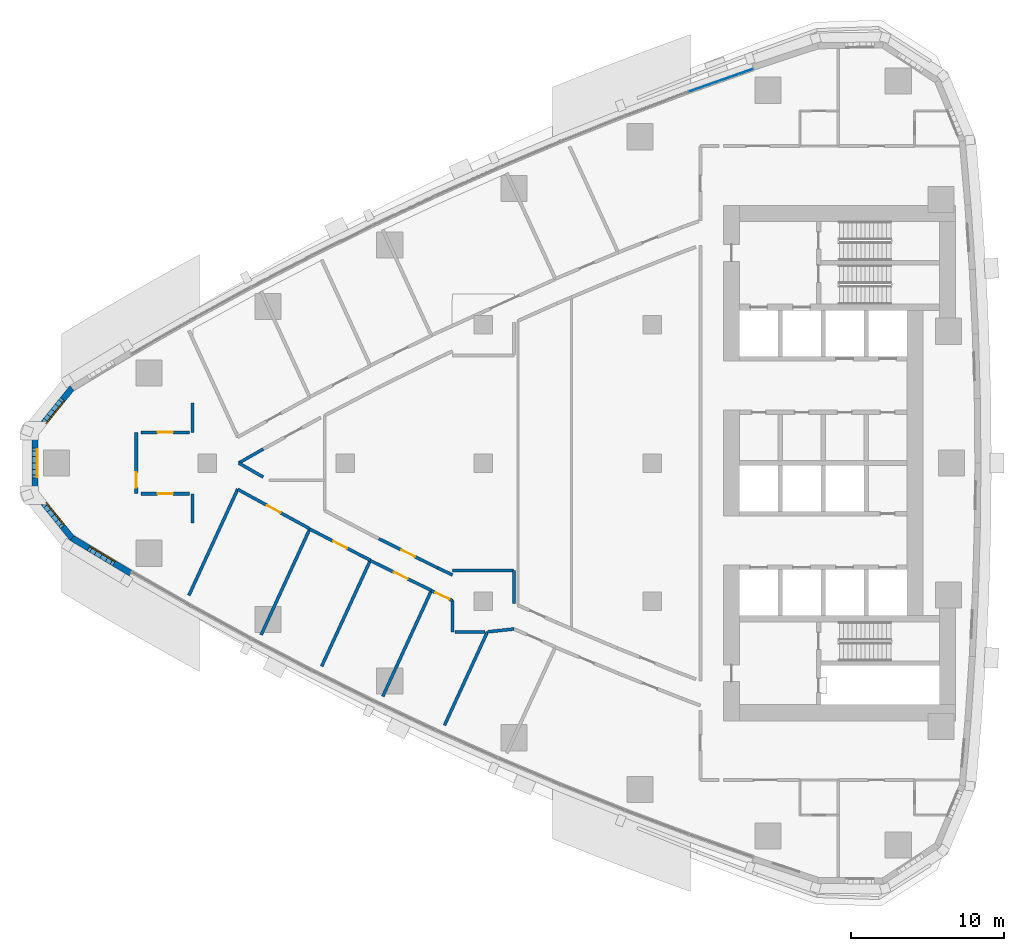
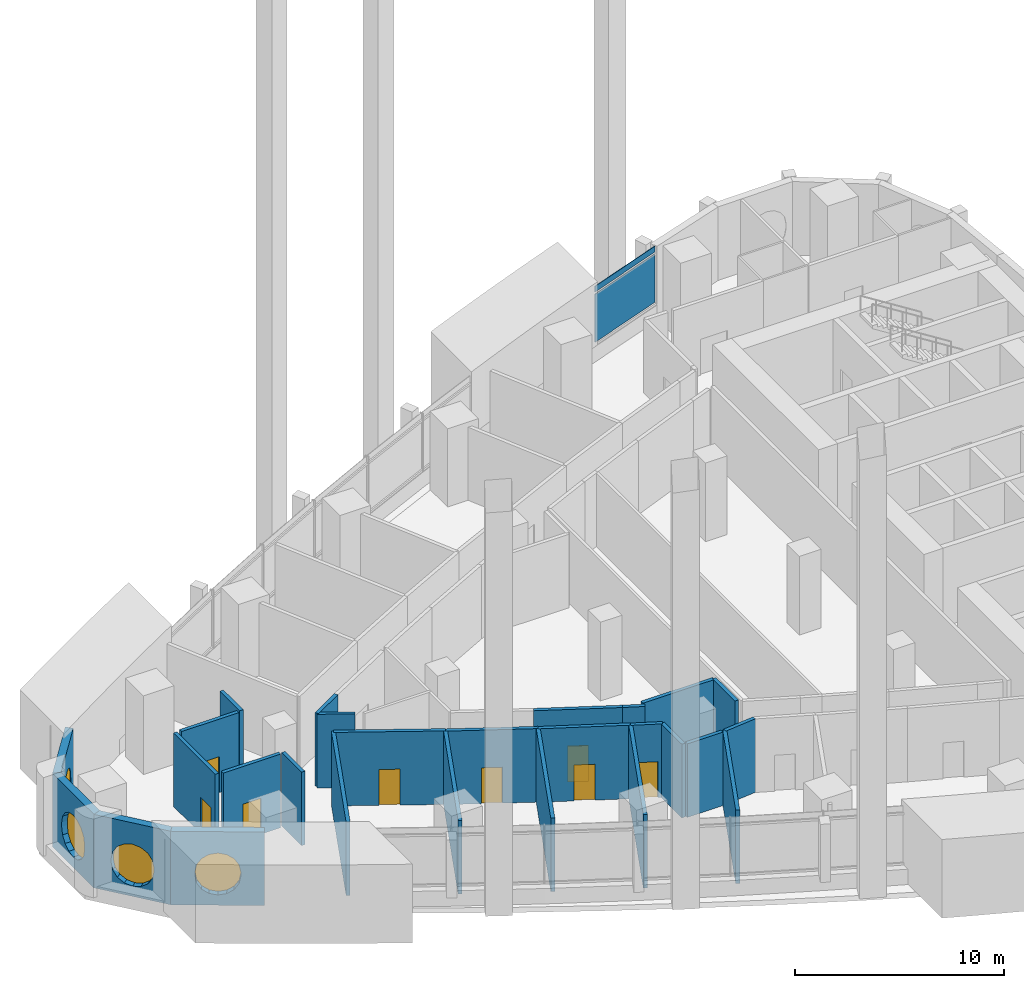
# One storey, part 7 of 17: 27 walls, 8 doors, 4 windows, 2 plates, 12 openings, 1 element without a shape of its own.
"""IFC4 building model written with IfcOpenShell, lengths in metres."""

from ifc_helpers import new_model, si_unit, direction, frame, frame_2d, origin, origin_2d, place, context, subcontext, project, spatial, polyline, rectangle, outline, extrude, material, layer, layer_set, type_object, element, fill, aggregate, save


model = new_model("IFC4")

# Units and contexts
model_context = context("Model", 3, precision=1e-05, world=origin(), true_north=direction((0.0, 1.0)))
body_context = subcontext(model_context, "Body", "Model", "MODEL_VIEW")
ifc_project = project(units=[si_unit("LENGTHUNIT", "METRE"), si_unit("AREAUNIT", "SQUARE_METRE"), si_unit("VOLUMEUNIT", "CUBIC_METRE"), si_unit("PLANEANGLEUNIT", "RADIAN"), si_unit("MASSUNIT", "GRAM", prefix="KILO")], contexts=[model_context])

# Site, building, storey
site_placement = place(None, origin())
site = spatial("IfcSite", under=ifc_project, at=site_placement, CompositionType="ELEMENT")
building_placement = place(site_placement, origin())
building = spatial("IfcBuilding", under=site, at=building_placement, Name="Ostrand Prow Hotel Tower", CompositionType="ELEMENT")
storey_placement = place(building_placement, frame((0.0, 0.0, 80.300048828125)))
storey = spatial("IfcBuildingStorey", under=building, at=storey_placement, Name="L18", CompositionType="ELEMENT", Elevation=80.300048828125)

# Curtain wall, plates
ifc_material_1 = material(Name="Insulated glass in bronze anodised frame", Category="glass")
ifc_layer_1 = layer(ifc_material_1, 0.199951171875)
ifc_layer_set_1 = layer_set([ifc_layer_1], Name="Insulated glass in bronze anodised frame")
curtain_wall_type = type_object("IfcCurtainWallType", Name="Sky lobby full-height curtain wall", PredefinedType="NOTDEFINED", material=ifc_layer_set_1)
curtain_wall_placement = place(storey_placement, origin())
curtain_wall = element("IfcCurtainWall", 1, at=curtain_wall_placement, inside=storey, type_object=curtain_wall_type, Name="CW3 run CWN1", PredefinedType="NOTDEFINED")
ifc_material_2 = material(Name="Low-iron clear glass", Category="glass")
ifc_layer_2 = layer(ifc_material_2, 0.031982421875)
ifc_layer_set_2 = layer_set([ifc_layer_2], Name="Low-iron clear glass")
plate_type = type_object("IfcPlateType", Name="Clear glass unit 32 mm", PredefinedType="CURTAIN_PANEL", material=ifc_layer_set_2)
plate_1_placement = place(storey_placement, frame((49.49609375, 24.947509765625, 1.02001953125), z_axis=(0.0, 0.0, 1.0), x_axis=(-0.942751551748, -0.333495894542, 0.0)))
plate_1 = element("IfcPlate", 2, at=plate_1_placement, type_object=plate_type, Name="CW3 PN-C panel 1.2", PredefinedType="CURTAIN_PANEL", context=body_context, shape_type="SweptSolid", body=[
    extrude(rectangle(XDim=4.406005859375, YDim=0.031982421875, at=origin_2d()), origin(), (0.0, 0.0, 1.0), 2.820068359375),
])
plate_2_placement = place(storey_placement, frame((49.49609375, 24.947509765625, 3.9599609375), z_axis=(0.0, 0.0, 1.0), x_axis=(-0.942751551748, -0.333495894542, 0.0)))
plate_2 = element("IfcPlate", 3, at=plate_2_placement, type_object=plate_type, Name="CW3 PN-C panel 1.3", PredefinedType="CURTAIN_PANEL", context=body_context, shape_type="SweptSolid", body=[
    extrude(rectangle(XDim=4.406005859375, YDim=0.031982421875, at=origin_2d()), origin(), (0.0, 0.0, 1.0), 0.340087890625),
])
aggregate(curtain_wall, [plate_1, plate_2])

# Wall, opening, door
ifc_material_3 = material(Name="Plasterboard partition")
ifc_layer_3 = layer(ifc_material_3, 0.199951171875)
ifc_layer_set_3 = layer_set([ifc_layer_3], Name="Plasterboard partition")
wall_type_1 = type_object("IfcWallType", Name="Partition 200 corridor wall", PredefinedType="PARTITIONING", material=ifc_layer_set_3)
wall_1_placement = place(storey_placement, frame((11.685302734375, 2.0, 0.0), z_axis=(0.0, 0.0, 1.0), x_axis=(1.0, 0.0, 0.0)))
wall_1 = element("IfcWall", 4, at=wall_1_placement, inside=storey, type_object=wall_type_1, Name="CORRIDOR WALL", PredefinedType="PARTITIONING", context=body_context, shape_type="SweptSolid", body=[
    extrude(rectangle(XDim=3.16845703125, YDim=0.199951171875, at=frame_2d((1.584228515625, 0.0))), origin(), (0.0, 0.0, 1.0), 4.300048828125),
])
opening_1_placement = place(wall_1_placement, frame((1.084228515625, 0.0, 0.0)))
opening_1 = element("IfcOpeningElement", 5, at=opening_1_placement, cuts=wall_1, Name="Opening D1", PredefinedType="OPENING", context=body_context, shape_type="SweptSolid", body=[
    extrude(rectangle(XDim=1.0, YDim=2.10009765625, at=frame_2d((0.5, 1.050048828125))), frame((0.0, 0.10986328125, 0.0), z_axis=(0.0, -1.0, 0.0), x_axis=(1.0, 0.0, 0.0)), (0.0, 0.0, 1.0), 0.219970703125),
])
ifc_material_4 = material(Name="Timber door leaf", Category="wood")
door_type_1 = type_object("IfcDoorType", Name="Guest room door 1000", OperationType="SINGLE_SWING_LEFT", PredefinedType="DOOR", material=ifc_material_4)
door_1_placement = place(opening_1_placement, origin())
door_1 = element("IfcDoor", 6, at=door_1_placement, inside=storey, type_object=door_type_1, Name="DOOR", OperationType="SINGLE_SWING_LEFT", OverallHeight=2.10009765625, OverallWidth=1.0, PredefinedType="DOOR", context=body_context, shape_type="SweptSolid", body=[
    extrude(rectangle(XDim=1.0, YDim=2.10009765625, at=frame_2d((0.5, 1.050048828125))), frame((0.0, 0.02490234375, 0.0), z_axis=(0.0, -1.0, 0.0), x_axis=(1.0, 0.0, 0.0)), (0.0, 0.0, 1.0), 0.050048828125),
])
fill(opening_1, door_1)

wall_2_placement = place(storey_placement, frame((11.685302734375, -2.0, 0.0), z_axis=(0.0, 0.0, 1.0), x_axis=(1.0, 0.0, 0.0)))
wall_2 = element("IfcWall", 7, at=wall_2_placement, inside=storey, type_object=wall_type_1, Name="CORRIDOR WALL", PredefinedType="PARTITIONING", context=body_context, shape_type="SweptSolid", body=[
    extrude(rectangle(XDim=3.16845703125, YDim=0.199951171875, at=frame_2d((1.584228515625, 0.0))), origin(), (0.0, 0.0, 1.0), 4.300048828125),
])
opening_2_placement = place(wall_2_placement, frame((1.084228515625, 0.0, 0.0)))
opening_2 = element("IfcOpeningElement", 8, at=opening_2_placement, cuts=wall_2, Name="Opening D1R", PredefinedType="OPENING", context=body_context, shape_type="SweptSolid", body=[
    extrude(rectangle(XDim=1.0, YDim=2.10009765625, at=frame_2d((0.5, 1.050048828125))), frame((0.0, 0.10986328125, 0.0), z_axis=(0.0, -1.0, 0.0), x_axis=(1.0, 0.0, 0.0)), (0.0, 0.0, 1.0), 0.219970703125),
])
ifc_material_5 = material(Name="Timber door leaf", Category="wood")
door_type_2 = type_object("IfcDoorType", Name="Guest room door 1000 right", OperationType="SINGLE_SWING_RIGHT", PredefinedType="DOOR", material=ifc_material_5)
door_2_placement = place(opening_2_placement, origin())
door_2 = element("IfcDoor", 9, at=door_2_placement, inside=storey, type_object=door_type_2, Name="DOOR", OperationType="SINGLE_SWING_RIGHT", OverallHeight=2.10009765625, OverallWidth=1.0, PredefinedType="DOOR", context=body_context, shape_type="SweptSolid", body=[
    extrude(rectangle(XDim=1.0, YDim=2.10009765625, at=frame_2d((0.5, 1.050048828125))), frame((0.0, 0.02490234375, 0.0), z_axis=(0.0, -1.0, 0.0), x_axis=(1.0, 0.0, 0.0)), (0.0, 0.0, 1.0), 0.050048828125),
])
fill(opening_2, door_2)

wall_3_placement = place(storey_placement, frame((18.0, -1.714599609375, 0.0), z_axis=(0.0, 0.0, 1.0), x_axis=(0.877354946945, -0.479841950096, 0.0)))
wall_3 = element("IfcWall", 10, at=wall_3_placement, inside=storey, type_object=wall_type_1, Name="CORRIDOR WALL", PredefinedType="PARTITIONING", context=body_context, shape_type="SweptSolid", body=[
    extrude(rectangle(XDim=5.35546875, YDim=0.199951171875, at=frame_2d((2.677734375, 0.0))), origin(), (0.0, 0.0, 1.0), 4.300048828125),
])
opening_3_placement = place(wall_3_placement, frame((2.177734375, 0.0, 0.0)))
opening_3 = element("IfcOpeningElement", 11, at=opening_3_placement, cuts=wall_3, Name="Opening D1R", PredefinedType="OPENING", context=body_context, shape_type="SweptSolid", body=[
    extrude(rectangle(XDim=1.0, YDim=2.10009765625, at=frame_2d((0.5, 1.050048828125))), frame((0.0, 0.10986328125, 0.0), z_axis=(0.0, -1.0, 0.0), x_axis=(1.0, 0.0, 0.0)), (0.0, 0.0, 1.0), 0.219970703125),
])
door_3_placement = place(opening_3_placement, origin())
door_3 = element("IfcDoor", 12, at=door_3_placement, inside=storey, type_object=door_type_2, Name="DOOR", OperationType="SINGLE_SWING_RIGHT", OverallHeight=2.10009765625, OverallWidth=1.0, PredefinedType="DOOR", context=body_context, shape_type="SweptSolid", body=[
    extrude(rectangle(XDim=1.0, YDim=2.10009765625, at=frame_2d((0.5, 1.050048828125))), frame((0.0, 0.02490234375, 0.0), z_axis=(0.0, -1.0, 0.0), x_axis=(1.0, 0.0, 0.0)), (0.0, 0.0, 1.0), 0.050048828125),
])
fill(opening_3, door_3)

wall_4_placement = place(storey_placement, frame((22.6904296875, -4.302490234375, 0.0), z_axis=(0.0, 0.0, 1.0), x_axis=(0.889236075961, -0.457448577667, 0.0)))
wall_4 = element("IfcWall", 13, at=wall_4_placement, inside=storey, type_object=wall_type_1, Name="CORRIDOR WALL", PredefinedType="PARTITIONING", context=body_context, shape_type="SweptSolid", body=[
    extrude(rectangle(XDim=4.443115234375, YDim=0.199951171875, at=frame_2d((2.2216796875, 0.0))), origin(), (0.0, 0.0, 1.0), 4.300048828125),
])
opening_4_placement = place(wall_4_placement, frame((1.721435546875, 0.0, 0.0)))
opening_4 = element("IfcOpeningElement", 14, at=opening_4_placement, cuts=wall_4, Name="Opening D1", PredefinedType="OPENING", context=body_context, shape_type="SweptSolid", body=[
    extrude(rectangle(XDim=1.0, YDim=2.10009765625, at=frame_2d((0.5, 1.050048828125))), frame((0.0, 0.10986328125, 0.0), z_axis=(0.0, -1.0, 0.0), x_axis=(1.0, 0.0, 0.0)), (0.0, 0.0, 1.0), 0.219970703125),
])
door_4_placement = place(opening_4_placement, origin())
door_4 = element("IfcDoor", 15, at=door_4_placement, inside=storey, type_object=door_type_1, Name="DOOR", OperationType="SINGLE_SWING_LEFT", OverallHeight=2.10009765625, OverallWidth=1.0, PredefinedType="DOOR", context=body_context, shape_type="SweptSolid", body=[
    extrude(rectangle(XDim=1.0, YDim=2.10009765625, at=frame_2d((0.5, 1.050048828125))), frame((0.0, 0.02490234375, 0.0), z_axis=(0.0, -1.0, 0.0), x_axis=(1.0, 0.0, 0.0)), (0.0, 0.0, 1.0), 0.050048828125),
])
fill(opening_4, door_4)

wall_5_placement = place(storey_placement, frame((26.6328125, -6.35302734375, 0.0), z_axis=(0.0, 0.0, 1.0), x_axis=(0.898502457097, -0.438968489291, 0.0)))
wall_5 = element("IfcWall", 16, at=wall_5_placement, inside=storey, type_object=wall_type_1, Name="CORRIDOR WALL", PredefinedType="PARTITIONING", context=body_context, shape_type="SweptSolid", body=[
    extrude(rectangle(XDim=4.43994140625, YDim=0.199951171875, at=frame_2d((2.219970703125, 0.0))), origin(), (0.0, 0.0, 1.0), 4.300048828125),
])
opening_5_placement = place(wall_5_placement, frame((1.719970703125, 0.0, 0.0)))
opening_5 = element("IfcOpeningElement", 17, at=opening_5_placement, cuts=wall_5, Name="Opening D1R", PredefinedType="OPENING", context=body_context, shape_type="SweptSolid", body=[
    extrude(rectangle(XDim=1.0, YDim=2.10009765625, at=frame_2d((0.5, 1.050048828125))), frame((0.0, 0.10986328125, 0.0), z_axis=(0.0, -1.0, 0.0), x_axis=(1.0, 0.0, 0.0)), (0.0, 0.0, 1.0), 0.219970703125),
])
door_5_placement = place(opening_5_placement, origin())
door_5 = element("IfcDoor", 18, at=door_5_placement, inside=storey, type_object=door_type_2, Name="DOOR", OperationType="SINGLE_SWING_RIGHT", OverallHeight=2.10009765625, OverallWidth=1.0, PredefinedType="DOOR", context=body_context, shape_type="SweptSolid", body=[
    extrude(rectangle(XDim=1.0, YDim=2.10009765625, at=frame_2d((0.5, 1.050048828125))), frame((0.0, 0.02490234375, 0.0), z_axis=(0.0, -1.0, 0.0), x_axis=(1.0, 0.0, 0.0)), (0.0, 0.0, 1.0), 0.050048828125),
])
fill(opening_5, door_5)

wall_6_placement = place(storey_placement, frame((30.61376953125, -8.320068359375, 0.0), z_axis=(0.0, 0.0, 1.0), x_axis=(0.904695891996, -0.42605791039, 0.0)))
wall_6 = element("IfcWall", 19, at=wall_6_placement, inside=storey, type_object=wall_type_1, Name="CORRIDOR WALL", PredefinedType="PARTITIONING", context=body_context, shape_type="SweptSolid", body=[
    extrude(rectangle(XDim=1.5322265625, YDim=0.199951171875, at=frame_2d((0.76611328125, 0.0))), origin(), (0.0, 0.0, 1.0), 4.300048828125),
])
opening_6_placement = place(wall_6_placement, frame((0.300048828125, 0.0, 0.0)))
opening_6 = element("IfcOpeningElement", 20, at=opening_6_placement, cuts=wall_6, Name="Opening D1", PredefinedType="OPENING", context=body_context, shape_type="SweptSolid", body=[
    extrude(rectangle(XDim=1.0, YDim=2.10009765625, at=frame_2d((0.5, 1.050048828125))), frame((0.0, 0.10986328125, 0.0), z_axis=(0.0, -1.0, 0.0), x_axis=(1.0, 0.0, 0.0)), (0.0, 0.0, 1.0), 0.219970703125),
])
door_6_placement = place(opening_6_placement, origin())
door_6 = element("IfcDoor", 21, at=door_6_placement, inside=storey, type_object=door_type_1, Name="DOOR", OperationType="SINGLE_SWING_LEFT", OverallHeight=2.10009765625, OverallWidth=1.0, PredefinedType="DOOR", context=body_context, shape_type="SweptSolid", body=[
    extrude(rectangle(XDim=1.0, YDim=2.10009765625, at=frame_2d((0.5, 1.050048828125))), frame((0.0, 0.02490234375, 0.0), z_axis=(0.0, -1.0, 0.0), x_axis=(1.0, 0.0, 0.0)), (0.0, 0.0, 1.0), 0.050048828125),
])
fill(opening_6, door_6)

# Walls
for number, where, z_axis, x_axis, name in (
    (22, (19.6572265625, -0.912353515625, 0.0), (0.0, 0.0, 1.0), (-0.867694156962, 0.49709843087, 0.0), "CORRIDOR WALL"),
    (23, (18.064697265625, 0.0, 0.0), (0.0, 0.0, 1.0), (0.867694156962, 0.49709843087, 0.0), "CORRIDOR WALL"),
):
    element("IfcWall", number, at=place(storey_placement, frame(where, z_axis=z_axis, x_axis=x_axis)), inside=storey, type_object=wall_type_1, Name=name, PredefinedType="PARTITIONING", context=body_context, shape_type="SweptSolid", body=[
        extrude(rectangle(XDim=1.83544921875, YDim=0.199951171875, at=frame_2d((0.917724609375, 0.0))), origin(), (0.0, 0.0, 1.0), 4.300048828125),
    ])

# Wall, opening, door
wall_7_placement = place(storey_placement, frame((31.02490234375, -6.83349609375, 0.0), z_axis=(0.0, 0.0, 1.0), x_axis=(-0.895975836328, 0.44410280422, 0.0)))
wall_7 = element("IfcWall", 24, at=wall_7_placement, inside=storey, type_object=wall_type_1, Name="CORRIDOR WALL", PredefinedType="PARTITIONING", context=body_context, shape_type="SweptSolid", body=[
    extrude(rectangle(XDim=4.273193359375, YDim=0.199951171875, at=frame_2d((2.13671875, 0.0))), origin(), (0.0, 0.0, 1.0), 4.300048828125),
])
opening_7_placement = place(wall_7_placement, frame((1.636474609375, 0.0, 0.0)))
opening_7 = element("IfcOpeningElement", 25, at=opening_7_placement, cuts=wall_7, Name="Opening D1", PredefinedType="OPENING", context=body_context, shape_type="SweptSolid", body=[
    extrude(rectangle(XDim=1.0, YDim=2.10009765625, at=frame_2d((0.5, 1.050048828125))), frame((0.0, 0.10986328125, 0.0), z_axis=(0.0, -1.0, 0.0), x_axis=(1.0, 0.0, 0.0)), (0.0, 0.0, 1.0), 0.219970703125),
])
door_7_placement = place(opening_7_placement, origin())
door_7 = element("IfcDoor", 26, at=door_7_placement, inside=storey, type_object=door_type_1, Name="DOOR", OperationType="SINGLE_SWING_LEFT", OverallHeight=2.10009765625, OverallWidth=1.0, PredefinedType="DOOR", context=body_context, shape_type="SweptSolid", body=[
    extrude(rectangle(XDim=1.0, YDim=2.10009765625, at=frame_2d((0.5, 1.050048828125))), frame((0.0, 0.02490234375, 0.0), z_axis=(0.0, -1.0, 0.0), x_axis=(1.0, 0.0, 0.0)), (0.0, 0.0, 1.0), 0.050048828125),
])
fill(opening_7, door_7)

# Walls
wall_8_placement = place(storey_placement, frame((32.0, -7.292724609375, 0.0), z_axis=(0.0, 0.0, 1.0), x_axis=(-0.904690325494, 0.426069730159, 0.0)))
element("IfcWall", 27, at=wall_8_placement, inside=storey, type_object=wall_type_1, Name="CORRIDOR WALL", PredefinedType="PARTITIONING", context=body_context, shape_type="SweptSolid", body=[
    extrude(rectangle(XDim=1.077880859375, YDim=0.199951171875, at=frame_2d((0.5390625, 0.0))), origin(), (0.0, 0.0, 1.0), 4.300048828125),
])
wall_9_placement = place(storey_placement, frame((36.0048828125, -9.146484375, 0.0), z_axis=(0.0, 0.0, 1.0), x_axis=(-0.001135073049, 0.999999355804, 0.0)))
element("IfcWall", 28, at=wall_9_placement, inside=storey, type_object=wall_type_1, Name="CORRIDOR WALL", PredefinedType="PARTITIONING", context=body_context, shape_type="SweptSolid", body=[
    extrude(rectangle(XDim=2.15087890625, YDim=0.199951171875, at=frame_2d((1.075439453125, 0.0))), origin(), (0.0, 0.0, 1.0), 4.300048828125),
])
wall_10_placement = place(storey_placement, frame((35.96240234375, -6.99560546875, 0.0), z_axis=(0.0, 0.0, 1.0), x_axis=(-0.999999992409, 0.000123213405, 0.0)))
element("IfcWall", 29, at=wall_10_placement, inside=storey, type_object=wall_type_1, Name="CORRIDOR WALL", PredefinedType="PARTITIONING", context=body_context, shape_type="SweptSolid", body=[
    extrude(rectangle(XDim=3.962890625, YDim=0.199951171875, at=frame_2d((1.9814453125, 0.0))), origin(), (0.0, 0.0, 1.0), 4.300048828125),
])
wall_11_placement = place(storey_placement, frame((15.0537109375, 3.90869140625, 0.0), z_axis=(0.0, 0.0, 1.0), x_axis=(0.0, -1.0, 0.0)))
element("IfcWall", 30, at=wall_11_placement, inside=storey, type_object=wall_type_1, Name="CORRIDOR WALL", PredefinedType="PARTITIONING", context=body_context, shape_type="SweptSolid", body=[
    extrude(rectangle(XDim=1.90380859375, YDim=0.199951171875, at=frame_2d((0.951904296875, 0.0))), origin(), (0.0, 0.0, 1.0), 4.300048828125),
])
wall_12_placement = place(storey_placement, frame((15.0537109375, -2.0048828125, 0.0), z_axis=(0.0, 0.0, 1.0), x_axis=(0.0, -1.0, 0.0)))
element("IfcWall", 31, at=wall_12_placement, inside=storey, type_object=wall_type_1, Name="CORRIDOR WALL", PredefinedType="PARTITIONING", context=body_context, shape_type="SweptSolid", body=[
    extrude(rectangle(XDim=1.908447265625, YDim=0.199951171875, at=frame_2d((0.9541015625, 0.0))), origin(), (0.0, 0.0, 1.0), 4.300048828125),
])
wall_13_placement = place(storey_placement, frame((32.0, -8.972900390625, 0.0), z_axis=(0.0, 0.0, 1.0), x_axis=(-0.001562685915, -0.999998779006, 0.0)))
element("IfcWall", 32, at=wall_13_placement, inside=storey, type_object=wall_type_1, Name="CORRIDOR WALL", PredefinedType="PARTITIONING", context=body_context, shape_type="SweptSolid", body=[
    extrude(rectangle(XDim=2.031005859375, YDim=0.199951171875, at=frame_2d((1.015625, 0.0))), origin(), (0.0, 0.0, 1.0), 4.300048828125),
])
wall_14_placement = place(storey_placement, frame((34.2705078125, -11.0, 0.0), z_axis=(0.0, 0.0, 1.0), x_axis=(0.99430915392, 0.106533123634, 0.0)))
element("IfcWall", 33, at=wall_14_placement, inside=storey, type_object=wall_type_1, Name="CORRIDOR WALL", PredefinedType="PARTITIONING", context=body_context, shape_type="SweptSolid", body=[
    extrude(rectangle(XDim=1.739501953125, YDim=0.199951171875, at=frame_2d((0.86962890625, 0.0))), origin(), (0.0, 0.0, 1.0), 4.300048828125),
])
ifc_material_6 = material(Name="Plasterboard partition")
ifc_layer_4 = layer(ifc_material_6, 0.199951171875)
ifc_layer_set_4 = layer_set([ifc_layer_4], Name="Plasterboard partition")
wall_type_2 = type_object("IfcWallType", Name="Partition 200 key partition", PredefinedType="PARTITIONING", material=ifc_layer_set_4)
wall_15_placement = place(storey_placement, frame((14.814697265625, -8.625732421875, 0.0), z_axis=(0.0, 0.0, 1.0), x_axis=(0.417432341259, 0.908708006166, 0.0)))
element("IfcWall", 34, at=wall_15_placement, inside=storey, type_object=wall_type_2, Name="KEY PARTITION", PredefinedType="PARTITIONING", context=body_context, shape_type="SweptSolid", body=[
    extrude(rectangle(XDim=7.630615234375, YDim=0.199951171875, at=frame_2d((3.8154296875, 0.0))), origin(), (0.0, 0.0, 1.0), 4.300048828125),
])
wall_16_placement = place(storey_placement, frame((19.5224609375, -11.19921875, 0.0), z_axis=(0.0, 0.0, 1.0), x_axis=(0.417413534969, 0.908716644959, 0.0)))
element("IfcWall", 35, at=wall_16_placement, inside=storey, type_object=wall_type_2, Name="KEY PARTITION", PredefinedType="PARTITIONING", context=body_context, shape_type="SweptSolid", body=[
    extrude(rectangle(XDim=7.609375, YDim=0.199951171875, at=frame_2d((3.8046875, 0.0))), origin(), (0.0, 0.0, 1.0), 4.300048828125),
])
wall_17_placement = place(storey_placement, frame((23.46728515625, -13.244140625, 0.0), z_axis=(0.0, 0.0, 1.0), x_axis=(0.417455028008, 0.908697584233, 0.0)))
element("IfcWall", 36, at=wall_17_placement, inside=storey, type_object=wall_type_2, Name="KEY PARTITION", PredefinedType="PARTITIONING", context=body_context, shape_type="SweptSolid", body=[
    extrude(rectangle(XDim=7.603271484375, YDim=0.199951171875, at=frame_2d((3.8017578125, 0.0))), origin(), (0.0, 0.0, 1.0), 4.300048828125),
])
wall_18_placement = place(storey_placement, frame((27.449462890625, -15.20849609375, 0.0), z_axis=(0.0, 0.0, 1.0), x_axis=(0.417429919618, 0.90870911859, 0.0)))
element("IfcWall", 37, at=wall_18_placement, inside=storey, type_object=wall_type_2, Name="KEY PARTITION", PredefinedType="PARTITIONING", context=body_context, shape_type="SweptSolid", body=[
    extrude(rectangle(XDim=7.600341796875, YDim=0.199951171875, at=frame_2d((3.80029296875, 0.0))), origin(), (0.0, 0.0, 1.0), 4.300048828125),
])
wall_19_placement = place(storey_placement, frame((31.471435546875, -17.093505859375, 0.0), z_axis=(0.0, 0.0, 1.0), x_axis=(0.417420546123, 0.908713424394, 0.0)))
element("IfcWall", 38, at=wall_19_placement, inside=storey, type_object=wall_type_2, Name="KEY PARTITION", PredefinedType="PARTITIONING", context=body_context, shape_type="SweptSolid", body=[
    extrude(rectangle(XDim=6.70556640625, YDim=0.199951171875, at=frame_2d((3.352783203125, 0.0))), origin(), (0.0, 0.0, 1.0), 4.300048828125),
])
wall_20_placement = place(storey_placement, frame((34.104248046875, -11.002685546875, 0.0), z_axis=(0.0, 0.0, 1.0), x_axis=(-0.999999222255, 0.001247192844, 0.0)))
element("IfcWall", 39, at=wall_20_placement, inside=storey, type_object=wall_type_2, Name="KEY PARTITION", PredefinedType="PARTITIONING", context=body_context, shape_type="SweptSolid", body=[
    extrude(rectangle(XDim=1.95751953125, YDim=0.199951171875, at=frame_2d((0.978759765625, 0.0))), origin(), (0.0, 0.0, 1.0), 4.300048828125),
])

# Wall, opening, door
ifc_material_7 = material(Name="Plasterboard partition")
ifc_layer_5 = layer(ifc_material_7, 0.199951171875)
ifc_layer_set_5 = layer_set([ifc_layer_5], Name="Plasterboard partition")
wall_type_3 = type_object("IfcWallType", Name="Partition 200 lounge wall", PredefinedType="PARTITIONING", material=ifc_layer_set_5)
wall_21_placement = place(storey_placement, frame((11.385498046875, -2.0, 0.0), z_axis=(0.0, 0.0, 1.0), x_axis=(0.0, 1.0, 0.0)))
wall_21 = element("IfcWall", 40, at=wall_21_placement, inside=storey, type_object=wall_type_3, Name="LOUNGE WALL", PredefinedType="PARTITIONING", context=body_context, shape_type="SweptSolid", body=[
    extrude(rectangle(XDim=4.0, YDim=0.199951171875, at=frame_2d((2.0, 0.0))), origin(), (0.0, 0.0, 1.0), 4.300048828125),
])
opening_8_placement = place(wall_21_placement, frame((0.39990234375, 0.0, 0.0)))
opening_8 = element("IfcOpeningElement", 41, at=opening_8_placement, cuts=wall_21, Name="Opening D1", PredefinedType="OPENING", context=body_context, shape_type="SweptSolid", body=[
    extrude(rectangle(XDim=1.0, YDim=2.10009765625, at=frame_2d((0.5, 1.050048828125))), frame((0.0, 0.10986328125, 0.0), z_axis=(0.0, -1.0, 0.0), x_axis=(1.0, 0.0, 0.0)), (0.0, 0.0, 1.0), 0.219970703125),
])
door_8_placement = place(opening_8_placement, origin())
door_8 = element("IfcDoor", 42, at=door_8_placement, inside=storey, type_object=door_type_1, Name="DOOR", OperationType="SINGLE_SWING_LEFT", OverallHeight=2.10009765625, OverallWidth=1.0, PredefinedType="DOOR", context=body_context, shape_type="SweptSolid", body=[
    extrude(rectangle(XDim=1.0, YDim=2.10009765625, at=frame_2d((0.5, 1.050048828125))), frame((0.0, 0.02490234375, 0.0), z_axis=(0.0, -1.0, 0.0), x_axis=(1.0, 0.0, 0.0)), (0.0, 0.0, 1.0), 0.050048828125),
])
fill(opening_8, door_8)

# Wall, opening, window
ifc_material_8 = material(Name="Precast concrete C40/50", Category="concrete")
ifc_layer_6 = layer(ifc_material_8, 0.39990234375)
ifc_layer_set_6 = layer_set([ifc_layer_6], Name="Precast concrete C40/50")
wall_type_4 = type_object("IfcWallType", Name="Stone-faced precast wall 400 mm", PredefinedType="NOTDEFINED", material=ifc_layer_set_6)
wall_22_placement = place(storey_placement, frame((7.1943359375, 4.8876953125, 0.0), z_axis=(0.0, 0.0, 1.0), x_axis=(-0.62903486133, -0.777377092042, 0.0)))
wall_22 = element("IfcWall", 43, at=wall_22_placement, inside=storey, type_object=wall_type_4, Name="Stone-faced wall prow 2", PredefinedType="NOTDEFINED", context=body_context, shape_type="SweptSolid", body=[
    extrude(outline(polyline([(-0.035400390625, -0.199951171875), (3.897216796875, -0.199951171875), (3.755615234375, 0.199951171875), (0.035400390625, 0.199951171875), (-0.035400390625, -0.199951171875)])), origin(), (0.0, 0.0, 1.0), 4.300048828125),
])
opening_9_placement = place(wall_22_placement, frame((0.813232421875, 0.0, 0.60009765625)))
opening_9 = element("IfcOpeningElement", 44, at=opening_9_placement, cuts=wall_22, Name="Opening WP2", PredefinedType="OPENING", context=body_context, shape_type="SweptSolid", body=[
    extrude(outline(polyline([(0.0, 1.35009765625), (0.083740234375, 1.77099609375), (0.322265625, 2.127685546875), (0.678955078125, 2.3662109375), (1.10009765625, 2.449951171875), (1.52099609375, 2.3662109375), (1.877685546875, 2.127685546875), (2.1162109375, 1.77099609375), (2.199951171875, 1.35009765625), (2.199951171875, 1.10009765625), (2.1162109375, 0.678955078125), (1.877685546875, 0.322265625), (1.52099609375, 0.083740234375), (1.10009765625, 0.0), (0.678955078125, 0.083740234375), (0.322265625, 0.322265625), (0.083740234375, 0.678955078125), (0.0, 1.099853515625), (0.0, 1.35009765625)])), frame((0.0, 0.2099609375, 0.0), z_axis=(0.0, -1.0, 0.0), x_axis=(1.0, 0.0, 0.0)), (0.0, 0.0, 1.0), 0.419921875),
])
ifc_material_9 = material(Name="Insulated glass in bronze frame", Category="glass")
window_type = type_object("IfcWindowType", Name="Round-ended prow lounge window 2200x2450", PartitioningType="SINGLE_PANEL", PredefinedType="WINDOW", material=ifc_material_9)
window_1_placement = place(opening_9_placement, origin())
window_1 = element("IfcWindow", 45, at=window_1_placement, inside=storey, type_object=window_type, Name="Window prow 2.1", OverallHeight=2.449951171875, OverallWidth=2.199951171875, PartitioningType="SINGLE_PANEL", PredefinedType="WINDOW", context=body_context, shape_type="SweptSolid", body=[
    extrude(outline(polyline([(0.0, 1.35009765625), (0.083740234375, 1.77099609375), (0.322265625, 2.127685546875), (0.678955078125, 2.3662109375), (1.10009765625, 2.449951171875), (1.52099609375, 2.3662109375), (1.877685546875, 2.127685546875), (2.1162109375, 1.77099609375), (2.199951171875, 1.35009765625), (2.199951171875, 1.10009765625), (2.1162109375, 0.678955078125), (1.877685546875, 0.322265625), (1.52099609375, 0.083740234375), (1.10009765625, 0.0), (0.678955078125, 0.083740234375), (0.322265625, 0.322265625), (0.083740234375, 0.678955078125), (0.0, 1.099853515625), (0.0, 1.35009765625)])), frame((0.0, 0.169921875, 0.0), z_axis=(0.0, -1.0, 0.0), x_axis=(1.0, 0.0, 0.0)), (0.0, 0.0, 1.0), 0.06005859375),
])
fill(opening_9, window_1)

wall_23_placement = place(storey_placement, frame((4.787353515625, 1.9130859375, 0.0), z_axis=(0.0, 0.0, 1.0), x_axis=(0.0, -1.0, 0.0)))
wall_23 = element("IfcWall", 46, at=wall_23_placement, inside=storey, type_object=wall_type_4, Name="Stone-faced wall prow 3", PredefinedType="NOTDEFINED", context=body_context, shape_type="SweptSolid", body=[
    extrude(outline(polyline([(-0.07080078125, -0.199951171875), (3.89697265625, -0.199951171875), (3.75537109375, 0.199951171875), (0.07080078125, 0.199951171875), (-0.07080078125, -0.199951171875)])), origin(), (0.0, 0.0, 1.0), 4.300048828125),
])
opening_10_placement = place(wall_23_placement, frame((0.813232421875, 0.0, 0.60009765625)))
opening_10 = element("IfcOpeningElement", 47, at=opening_10_placement, cuts=wall_23, Name="Opening WP2", PredefinedType="OPENING", context=body_context, shape_type="SweptSolid", body=[
    extrude(outline(polyline([(0.0, 1.35009765625), (0.083740234375, 1.77099609375), (0.322265625, 2.127685546875), (0.678955078125, 2.3662109375), (1.10009765625, 2.449951171875), (1.52099609375, 2.3662109375), (1.877685546875, 2.127685546875), (2.1162109375, 1.77099609375), (2.199951171875, 1.35009765625), (2.199951171875, 1.10009765625), (2.1162109375, 0.678955078125), (1.877685546875, 0.322265625), (1.52099609375, 0.083740234375), (1.10009765625, 0.0), (0.678955078125, 0.083740234375), (0.322265625, 0.322265625), (0.083740234375, 0.678955078125), (0.0, 1.099853515625), (0.0, 1.35009765625)])), frame((0.0, 0.2099609375, 0.0), z_axis=(0.0, -1.0, 0.0), x_axis=(1.0, 0.0, 0.0)), (0.0, 0.0, 1.0), 0.419921875),
])
window_2_placement = place(opening_10_placement, origin())
window_2 = element("IfcWindow", 48, at=window_2_placement, inside=storey, type_object=window_type, Name="Window prow 3.1", OverallHeight=2.449951171875, OverallWidth=2.199951171875, PartitioningType="SINGLE_PANEL", PredefinedType="WINDOW", context=body_context, shape_type="SweptSolid", body=[
    extrude(outline(polyline([(0.0, 1.35009765625), (0.083740234375, 1.77099609375), (0.322265625, 2.127685546875), (0.678955078125, 2.3662109375), (1.10009765625, 2.449951171875), (1.52099609375, 2.3662109375), (1.877685546875, 2.127685546875), (2.1162109375, 1.77099609375), (2.199951171875, 1.35009765625), (2.199951171875, 1.10009765625), (2.1162109375, 0.678955078125), (1.877685546875, 0.322265625), (1.52099609375, 0.083740234375), (1.10009765625, 0.0), (0.678955078125, 0.083740234375), (0.322265625, 0.322265625), (0.083740234375, 0.678955078125), (0.0, 1.099853515625), (0.0, 1.35009765625)])), frame((0.0, 0.169921875, 0.0), z_axis=(0.0, -1.0, 0.0), x_axis=(1.0, 0.0, 0.0)), (0.0, 0.0, 1.0), 0.06005859375),
])
fill(opening_10, window_2)

wall_24_placement = place(storey_placement, frame((4.787353515625, -1.9130859375, 0.0), z_axis=(0.0, 0.0, 1.0), x_axis=(0.62903486133, -0.777377092042, 0.0)))
wall_24 = element("IfcWall", 49, at=wall_24_placement, inside=storey, type_object=wall_type_4, Name="Stone-faced wall prow 4", PredefinedType="NOTDEFINED", context=body_context, shape_type="SweptSolid", body=[
    extrude(outline(polyline([(-0.07080078125, -0.199951171875), (3.86181640625, -0.199951171875), (3.791015625, 0.199951171875), (0.07080078125, 0.199951171875), (-0.07080078125, -0.199951171875)])), origin(), (0.0, 0.0, 1.0), 4.300048828125),
])
opening_11_placement = place(wall_24_placement, frame((0.813232421875, 0.0, 0.60009765625)))
opening_11 = element("IfcOpeningElement", 50, at=opening_11_placement, cuts=wall_24, Name="Opening WP2", PredefinedType="OPENING", context=body_context, shape_type="SweptSolid", body=[
    extrude(outline(polyline([(0.0, 1.35009765625), (0.083740234375, 1.77099609375), (0.322265625, 2.127685546875), (0.678955078125, 2.3662109375), (1.10009765625, 2.449951171875), (1.52099609375, 2.3662109375), (1.877685546875, 2.127685546875), (2.1162109375, 1.77099609375), (2.199951171875, 1.35009765625), (2.199951171875, 1.10009765625), (2.1162109375, 0.678955078125), (1.877685546875, 0.322265625), (1.52099609375, 0.083740234375), (1.10009765625, 0.0), (0.678955078125, 0.083740234375), (0.322265625, 0.322265625), (0.083740234375, 0.678955078125), (0.0, 1.099853515625), (0.0, 1.35009765625)])), frame((0.0, 0.2099609375, 0.0), z_axis=(0.0, -1.0, 0.0), x_axis=(1.0, 0.0, 0.0)), (0.0, 0.0, 1.0), 0.419921875),
])
window_3_placement = place(opening_11_placement, origin())
window_3 = element("IfcWindow", 51, at=window_3_placement, inside=storey, type_object=window_type, Name="Window prow 4.1", OverallHeight=2.449951171875, OverallWidth=2.199951171875, PartitioningType="SINGLE_PANEL", PredefinedType="WINDOW", context=body_context, shape_type="SweptSolid", body=[
    extrude(outline(polyline([(0.0, 1.35009765625), (0.083740234375, 1.77099609375), (0.322265625, 2.127685546875), (0.678955078125, 2.3662109375), (1.10009765625, 2.449951171875), (1.52099609375, 2.3662109375), (1.877685546875, 2.127685546875), (2.1162109375, 1.77099609375), (2.199951171875, 1.35009765625), (2.199951171875, 1.10009765625), (2.1162109375, 0.678955078125), (1.877685546875, 0.322265625), (1.52099609375, 0.083740234375), (1.10009765625, 0.0), (0.678955078125, 0.083740234375), (0.322265625, 0.322265625), (0.083740234375, 0.678955078125), (0.0, 1.099853515625), (0.0, 1.35009765625)])), frame((0.0, 0.169921875, 0.0), z_axis=(0.0, -1.0, 0.0), x_axis=(1.0, 0.0, 0.0)), (0.0, 0.0, 1.0), 0.06005859375),
])
fill(opening_11, window_3)

wall_25_placement = place(storey_placement, frame((7.1943359375, -4.8876953125, 0.0), z_axis=(0.0, 0.0, 1.0), x_axis=(0.857550776474, -0.514399325202, 0.0)))
wall_25 = element("IfcWall", 52, at=wall_25_placement, inside=storey, type_object=wall_type_4, Name="Stone-faced wall prow 5", PredefinedType="NOTDEFINED", context=body_context, shape_type="SweptSolid", body=[
    extrude(outline(polyline([(-0.035400390625, -0.199951171875), (4.468017578125, -0.199951171875), (4.468017578125, 0.199951171875), (0.035400390625, 0.199951171875), (-0.035400390625, -0.199951171875)])), origin(), (0.0, 0.0, 1.0), 4.300048828125),
])
opening_12_placement = place(wall_25_placement, frame((1.134033203125, 0.0, 0.60009765625)))
opening_12 = element("IfcOpeningElement", 53, at=opening_12_placement, cuts=wall_25, Name="Opening WP2", PredefinedType="OPENING", context=body_context, shape_type="SweptSolid", body=[
    extrude(outline(polyline([(0.0, 1.35009765625), (0.083740234375, 1.77099609375), (0.322265625, 2.127685546875), (0.678955078125, 2.3662109375), (1.10009765625, 2.449951171875), (1.52099609375, 2.3662109375), (1.877685546875, 2.127685546875), (2.1162109375, 1.77099609375), (2.199951171875, 1.35009765625), (2.199951171875, 1.10009765625), (2.1162109375, 0.678955078125), (1.877685546875, 0.322265625), (1.52099609375, 0.083740234375), (1.10009765625, 0.0), (0.678955078125, 0.083740234375), (0.322265625, 0.322265625), (0.083740234375, 0.678955078125), (0.0, 1.099853515625), (0.0, 1.35009765625)])), frame((0.0, 0.2099609375, 0.0), z_axis=(0.0, -1.0, 0.0), x_axis=(1.0, 0.0, 0.0)), (0.0, 0.0, 1.0), 0.419921875),
])
window_4_placement = place(opening_12_placement, origin())
window_4 = element("IfcWindow", 54, at=window_4_placement, inside=storey, type_object=window_type, Name="Window prow 5.1", OverallHeight=2.449951171875, OverallWidth=2.199951171875, PartitioningType="SINGLE_PANEL", PredefinedType="WINDOW", context=body_context, shape_type="SweptSolid", body=[
    extrude(outline(polyline([(0.0, 1.35009765625), (0.083740234375, 1.77099609375), (0.322265625, 2.127685546875), (0.678955078125, 2.3662109375), (1.10009765625, 2.449951171875), (1.52099609375, 2.3662109375), (1.877685546875, 2.127685546875), (2.1162109375, 1.77099609375), (2.199951171875, 1.35009765625), (2.199951171875, 1.10009765625), (2.1162109375, 0.678955078125), (1.877685546875, 0.322265625), (1.52099609375, 0.083740234375), (1.10009765625, 0.0), (0.678955078125, 0.083740234375), (0.322265625, 0.322265625), (0.083740234375, 0.678955078125), (0.0, 1.099853515625), (0.0, 1.35009765625)])), frame((0.0, 0.169921875, 0.0), z_axis=(0.0, -1.0, 0.0), x_axis=(1.0, 0.0, 0.0)), (0.0, 0.0, 1.0), 0.06005859375),
])
fill(opening_12, window_4)

save(model, "model.ifc")
